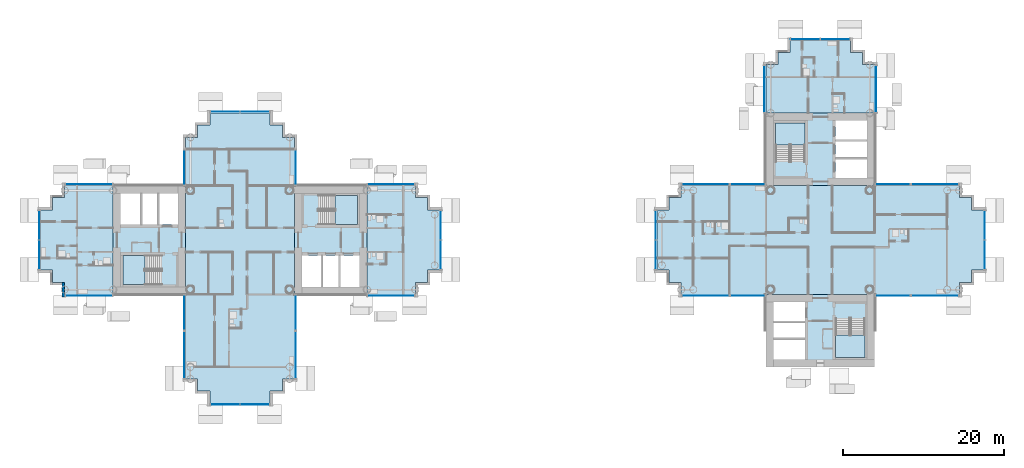
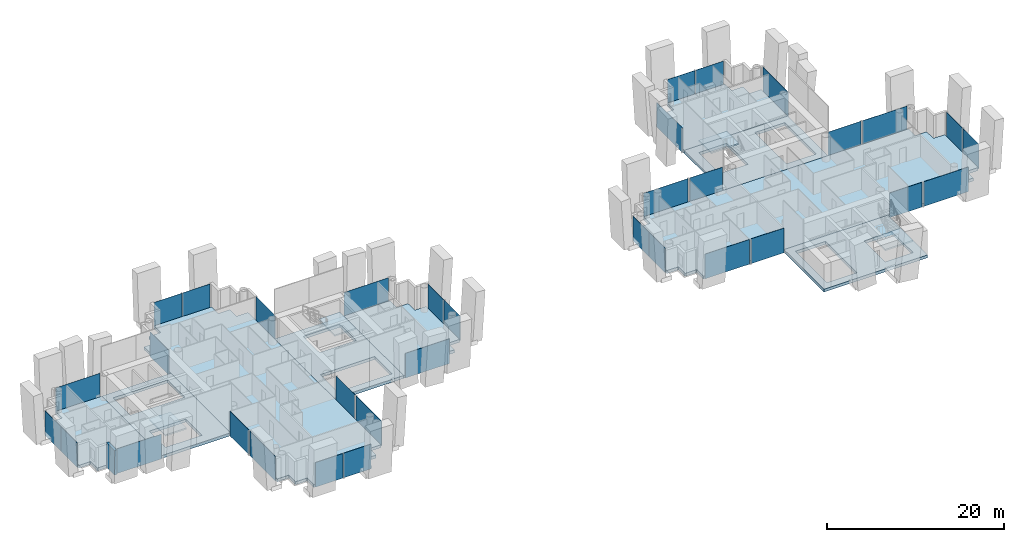
# One storey, part 7 of 21: 34 plates, 13 slabs, 1 wall, 31 elements without a shape of their own.
"""IFC4 building model written with IfcOpenShell, lengths in metres."""

from ifc_helpers import new_model, si_unit, direction, frame, frame_2d, origin, origin_2d, place, context, subcontext, project, spatial, polyline, rectangle, outline, extrude, material, layer, layer_set, type_object, element, aggregate, save


model = new_model("IFC4")

# Units and contexts
model_context = context("Model", 3, precision=1e-05, world=origin(), true_north=direction((0.0, 1.0)))
body_context = subcontext(model_context, "Body", "Model", "MODEL_VIEW")
ifc_project = project(units=[si_unit("LENGTHUNIT", "METRE"), si_unit("AREAUNIT", "SQUARE_METRE"), si_unit("VOLUMEUNIT", "CUBIC_METRE"), si_unit("PLANEANGLEUNIT", "RADIAN"), si_unit("MASSUNIT", "GRAM", prefix="KILO")], contexts=[model_context])

# Site, building, storey
site_placement = place(None, origin())
site = spatial("IfcSite", under=ifc_project, at=site_placement, CompositionType="ELEMENT")
building_placement = place(site_placement, origin())
building = spatial("IfcBuilding", under=site, at=building_placement, Name="Ipe Terrace Towers", CompositionType="ELEMENT")
storey_placement = place(building_placement, frame((0.0, 0.0, 114.0)))
storey = spatial("IfcBuildingStorey", under=building, at=storey_placement, Name="L31", CompositionType="ELEMENT", Elevation=114.0)

# Slabs
ifc_material_1 = material(Name="Concrete C30/37", Category="concrete")
ifc_layer_1 = layer(ifc_material_1, 0.39990234375)
ifc_layer_set_1 = layer_set([ifc_layer_1], Name="CORE FLOOR SLAB 400 C30-37")
slab_type_1 = type_object("IfcSlabType", Name="CORE FLOOR SLAB 400 C30-37", PredefinedType="FLOOR", material=ifc_layer_set_1)
slab_1_placement = place(storey_placement, frame((0.0, 0.0, -0.39990234375)))
element("IfcSlab", 1, at=slab_1_placement, inside=storey, type_object=slab_type_1, Name="Core floor T1-C1", PredefinedType="FLOOR", context=body_context, shape_type="SweptSolid", body=[
    extrude(outline(polyline([(-29.25, -6.75), (-29.25, 6.75), (-20.25, 6.75), (-20.25, -6.75), (-29.25, -6.75)]), holes=[polyline([(-28.300048828125, -5.800048828125), (-21.199951171875, -5.800048828125), (-21.199951171875, -1.89990234375), (-28.300048828125, -1.89990234375), (-28.300048828125, -5.800048828125)]), polyline([(-26.199951171875, 5.550048828125), (-26.199951171875, 1.89990234375), (-21.449951171875, 1.89990234375), (-21.449951171875, 5.550048828125), (-26.199951171875, 5.550048828125)])]), origin(), (0.0, 0.0, 1.0), 0.39990234375),
])
slab_2_placement = place(storey_placement, frame((0.0, 0.0, -0.39990234375)))
element("IfcSlab", 2, at=slab_2_placement, inside=storey, type_object=slab_type_1, Name="Core floor T1-C2", PredefinedType="FLOOR", context=body_context, shape_type="SweptSolid", body=[
    extrude(outline(polyline([(-51.75, -6.75), (-51.75, 6.75), (-42.75, 6.75), (-42.75, -6.75), (-51.75, -6.75)]), holes=[polyline([(-45.800048828125, -5.550048828125), (-45.800048828125, -1.89990234375), (-50.550048828125, -1.89990234375), (-50.550048828125, -5.550048828125), (-45.800048828125, -5.550048828125)]), polyline([(-50.800048828125, 1.89990234375), (-43.699951171875, 1.89990234375), (-43.699951171875, 5.800048828125), (-50.800048828125, 5.800048828125), (-50.800048828125, 1.89990234375)])]), origin(), (0.0, 0.0, 1.0), 0.39990234375),
])
slab_3_placement = place(storey_placement, frame((0.0, 0.0, -0.39990234375)))
element("IfcSlab", 3, at=slab_3_placement, inside=storey, type_object=slab_type_1, Name="Core floor T2-C1", PredefinedType="FLOOR", context=body_context, shape_type="SweptSolid", body=[
    extrude(outline(polyline([(29.25, 6.75), (29.25, 15.75), (42.75, 15.75), (42.75, 6.75), (29.25, 6.75)]), holes=[polyline([(41.800048828125, 7.699951171875), (41.800048828125, 14.800048828125), (37.89990234375, 14.800048828125), (37.89990234375, 7.699951171875), (41.800048828125, 7.699951171875)]), polyline([(30.449951171875, 9.800048828125), (34.10009765625, 9.800048828125), (34.10009765625, 14.550048828125), (30.449951171875, 14.550048828125), (30.449951171875, 9.800048828125)])]), origin(), (0.0, 0.0, 1.0), 0.39990234375),
])
slab_4_placement = place(storey_placement, frame((0.0, 0.0, -0.39990234375)))
element("IfcSlab", 4, at=slab_4_placement, inside=storey, type_object=slab_type_1, Name="Core floor T2-C2", PredefinedType="FLOOR", context=body_context, shape_type="SweptSolid", body=[
    extrude(outline(polyline([(29.25, -15.75), (29.25, -6.75), (42.75, -6.75), (42.75, -15.75), (29.25, -15.75)]), holes=[polyline([(34.10009765625, -14.800048828125), (34.10009765625, -7.699951171875), (30.199951171875, -7.699951171875), (30.199951171875, -14.800048828125), (34.10009765625, -14.800048828125)]), polyline([(41.550048828125, -9.800048828125), (37.89990234375, -9.800048828125), (37.89990234375, -14.550048828125), (41.550048828125, -14.550048828125), (41.550048828125, -9.800048828125)])]), origin(), (0.0, 0.0, 1.0), 0.39990234375),
])

# Stair, slab
ifc_material_2 = material(Name="Concrete C30/37", Category="concrete")
stair_type = type_object("IfcStairType", Name="Protected exit stair", PredefinedType="HALF_TURN_STAIR", material=ifc_material_2)
stair_1_placement = place(storey_placement, origin())
stair_1 = element("IfcStair", 5, at=stair_1_placement, inside=storey, type_object=stair_type, Name="L31 Exit stair T1-C1", PredefinedType="HALF_TURN_STAIR")
ifc_material_3 = material(Name="Concrete C30/37", Category="concrete")
ifc_layer_2 = layer(ifc_material_3, 0.199951171875)
ifc_layer_set_2 = layer_set([ifc_layer_2], Name="Exit stair landing 200")
slab_type_2 = type_object("IfcSlabType", Name="Exit stair landing 200", PredefinedType="LANDING", material=ifc_layer_set_2)
slab_5_placement = place(storey_placement, frame((0.0, 0.0, 1.5)))
slab_5 = element("IfcSlab", 6, at=slab_5_placement, type_object=slab_type_2, Name="T1-ST1 landing 1", PredefinedType="LANDING", context=body_context, shape_type="SweptSolid", body=[
    extrude(outline(polyline([(-24.219970703125, 1.89990234375), (-21.449951171875, 1.89990234375), (-21.449951171875, 5.550048828125), (-24.219970703125, 5.550048828125), (-24.219970703125, 1.89990234375)])), origin(), (0.0, 0.0, 1.0), 0.199951171875),
])
aggregate(stair_1, [slab_5])

stair_2_placement = place(storey_placement, origin())
stair_2 = element("IfcStair", 7, at=stair_2_placement, inside=storey, type_object=stair_type, Name="L31 Exit stair T1-C2", PredefinedType="HALF_TURN_STAIR")
slab_6_placement = place(storey_placement, frame((0.0, 0.0, 1.5)))
slab_6 = element("IfcSlab", 8, at=slab_6_placement, type_object=slab_type_2, Name="T1-ST2 landing 1", PredefinedType="LANDING", context=body_context, shape_type="SweptSolid", body=[
    extrude(outline(polyline([(-47.780029296875, -1.89990234375), (-50.550048828125, -1.89990234375), (-50.550048828125, -5.550048828125), (-47.780029296875, -5.550048828125), (-47.780029296875, -1.89990234375)])), origin(), (0.0, 0.0, 1.0), 0.199951171875),
])
aggregate(stair_2, [slab_6])

stair_3_placement = place(storey_placement, origin())
stair_3 = element("IfcStair", 9, at=stair_3_placement, inside=storey, type_object=stair_type, Name="L31 Exit stair T2-C1", PredefinedType="HALF_TURN_STAIR")
slab_7_placement = place(storey_placement, frame((0.0, 0.0, 1.5)))
slab_7 = element("IfcSlab", 10, at=slab_7_placement, type_object=slab_type_2, Name="T2-ST1 landing 1", PredefinedType="LANDING", context=body_context, shape_type="SweptSolid", body=[
    extrude(outline(polyline([(34.10009765625, 11.780029296875), (34.10009765625, 14.550048828125), (30.449951171875, 14.550048828125), (30.449951171875, 11.780029296875), (34.10009765625, 11.780029296875)])), origin(), (0.0, 0.0, 1.0), 0.199951171875),
])
aggregate(stair_3, [slab_7])

stair_4_placement = place(storey_placement, origin())
stair_4 = element("IfcStair", 11, at=stair_4_placement, inside=storey, type_object=stair_type, Name="L31 Exit stair T2-C2", PredefinedType="HALF_TURN_STAIR")
slab_8_placement = place(storey_placement, frame((0.0, 0.0, 1.5)))
slab_8 = element("IfcSlab", 12, at=slab_8_placement, type_object=slab_type_2, Name="T2-ST2 landing 1", PredefinedType="LANDING", context=body_context, shape_type="SweptSolid", body=[
    extrude(outline(polyline([(37.89990234375, -11.780029296875), (37.89990234375, -14.550048828125), (41.550048828125, -14.550048828125), (41.550048828125, -11.780029296875), (37.89990234375, -11.780029296875)])), origin(), (0.0, 0.0, 1.0), 0.199951171875),
])
aggregate(stair_4, [slab_8])

# Slabs
ifc_material_4 = material(Name="Concrete C40/50", Category="concrete")
ifc_layer_3 = layer(ifc_material_4, 0.39990234375)
ifc_layer_set_3 = layer_set([ifc_layer_3], Name="FLAT PLATE SLAB 400 C40-50")
slab_type_3 = type_object("IfcSlabType", Name="FLAT PLATE SLAB 400 C40-50", PredefinedType="FLOOR", material=ifc_layer_set_3)
slab_9_placement = place(storey_placement, frame((0.0, 0.0, -0.39990234375)))
element("IfcSlab", 13, at=slab_9_placement, inside=storey, type_object=slab_type_3, Name="Slab T1-FS-Z21", PredefinedType="FLOOR", context=body_context, shape_type="SweptSolid", body=[
    extrude(outline(polyline([(-30.75, -17.25), (-30.75, -18.75), (-32.25, -18.75), (-32.25, -20.25), (-39.75, -20.25), (-39.75, -18.75), (-41.25, -18.75), (-41.25, -17.25), (-42.75, -17.25), (-42.75, -6.75), (-42.75, 6.75), (-42.75, 12.75), (-41.25, 12.75), (-41.25, 14.25), (-39.75, 14.25), (-39.75, 15.75), (-32.25, 15.75), (-32.25, 14.25), (-30.75, 14.25), (-30.75, 12.75), (-29.25, 12.75), (-29.25, 6.75), (-29.25, -6.75), (-29.25, -17.25), (-30.75, -17.25)])), origin(), (0.0, 0.0, 1.0), 0.39990234375),
])
slab_10_placement = place(storey_placement, frame((0.0, 0.0, -0.39990234375)))
element("IfcSlab", 14, at=slab_10_placement, inside=storey, type_object=slab_type_3, Name="Slab T1-FS-Z22", PredefinedType="FLOOR", context=body_context, shape_type="SweptSolid", body=[
    extrude(outline(polyline([(-57.75, -6.75), (-57.75, -5.25), (-59.25, -5.25), (-59.25, -3.75), (-60.75, -3.75), (-60.75, 3.75), (-59.25, 3.75), (-59.25, 5.25), (-57.75, 5.25), (-57.75, 6.75), (-51.75, 6.75), (-51.75, -6.75), (-57.75, -6.75)])), origin(), (0.0, 0.0, 1.0), 0.39990234375),
])
slab_11_placement = place(storey_placement, frame((0.0, 0.0, -0.39990234375)))
element("IfcSlab", 15, at=slab_11_placement, inside=storey, type_object=slab_type_3, Name="Slab T1-FS-Z23", PredefinedType="FLOOR", context=body_context, shape_type="SweptSolid", body=[
    extrude(outline(polyline([(-14.25, 5.25), (-12.75, 5.25), (-12.75, 3.75), (-11.25, 3.75), (-11.25, -3.75), (-12.75, -3.75), (-12.75, -5.25), (-14.25, -5.25), (-14.25, -6.75), (-20.25, -6.75), (-20.25, 6.75), (-14.25, 6.75), (-14.25, 5.25)])), origin(), (0.0, 0.0, 1.0), 0.39990234375),
])
slab_12_placement = place(storey_placement, frame((0.0, 0.0, -0.39990234375)))
element("IfcSlab", 16, at=slab_12_placement, inside=storey, type_object=slab_type_3, Name="Slab T2-FS-Z21", PredefinedType="FLOOR", context=body_context, shape_type="SweptSolid", body=[
    extrude(outline(polyline([(53.25, 5.25), (54.75, 5.25), (54.75, 3.75), (56.25, 3.75), (56.25, -3.75), (54.75, -3.75), (54.75, -5.25), (53.25, -5.25), (53.25, -6.75), (42.75, -6.75), (29.25, -6.75), (18.75, -6.75), (18.75, -5.25), (17.25, -5.25), (17.25, -3.75), (15.75, -3.75), (15.75, 3.75), (17.25, 3.75), (17.25, 5.25), (18.75, 5.25), (18.75, 6.75), (29.25, 6.75), (42.75, 6.75), (53.25, 6.75), (53.25, 5.25)])), origin(), (0.0, 0.0, 1.0), 0.39990234375),
])
slab_13_placement = place(storey_placement, frame((0.0, 0.0, -0.39990234375)))
element("IfcSlab", 17, at=slab_13_placement, inside=storey, type_object=slab_type_3, Name="Slab T2-FS-Z22", PredefinedType="FLOOR", context=body_context, shape_type="SweptSolid", body=[
    extrude(outline(polyline([(30.75, 21.75), (30.75, 23.25), (32.25, 23.25), (32.25, 24.75), (39.75, 24.75), (39.75, 23.25), (41.25, 23.25), (41.25, 21.75), (42.75, 21.75), (42.75, 15.75), (29.25, 15.75), (29.25, 21.75), (30.75, 21.75)])), origin(), (0.0, 0.0, 1.0), 0.39990234375),
])

# Curtain wall, plate
ifc_material_5 = material(Name="Aluminium alloy 6063-T6", Category="aluminium")
ifc_layer_4 = layer(ifc_material_5, 0.320068359375)
ifc_layer_set_4 = layer_set([ifc_layer_4], Name="TOWER UNITISED CURTAIN WALL")
curtain_wall_type = type_object("IfcCurtainWallType", Name="TOWER UNITISED CURTAIN WALL", PredefinedType="NOTDEFINED", material=ifc_layer_set_4)
curtain_wall_1_placement = place(storey_placement, origin())
curtain_wall_1 = element("IfcCurtainWall", 18, at=curtain_wall_1_placement, inside=storey, type_object=curtain_wall_type, Name="T1-CW-L31-04a curtain wall", PredefinedType="NOTDEFINED")
ifc_material_6 = material(Name="Glass, clear laminated", Category="glass")
ifc_layer_5 = layer(ifc_material_6, 0.031982421875)
ifc_layer_set_5 = layer_set([ifc_layer_5], Name="TOWER UNITISED GLASS PANEL 32")
plate_type = type_object("IfcPlateType", Name="TOWER UNITISED GLASS PANEL 32", PredefinedType="CURTAIN_PANEL", material=ifc_layer_set_5)
plate_1_placement = place(storey_placement, frame((-54.75048828125, -6.909912109375, -0.300048828125), z_axis=(0.0, 0.0, 1.0), x_axis=(1.0, 0.0, 0.0)))
plate_1 = element("IfcPlate", 19, at=plate_1_placement, type_object=plate_type, Name="T1-CW-L31-04a panel 1", PredefinedType="CURTAIN_PANEL", context=body_context, shape_type="SweptSolid", body=[
    extrude(rectangle(XDim=5.759033203125, YDim=0.031982421875, at=origin_2d()), origin(), (0.0, 0.0, 1.0), 3.39990234375),
])
aggregate(curtain_wall_1, [plate_1])

curtain_wall_2_placement = place(storey_placement, origin())
curtain_wall_2 = element("IfcCurtainWall", 20, at=curtain_wall_2_placement, inside=storey, type_object=curtain_wall_type, Name="T1-CW-L31-06a curtain wall", PredefinedType="NOTDEFINED")
plate_2_placement = place(storey_placement, frame((-42.909912109375, -9.0, -0.300048828125), z_axis=(0.0, 0.0, 1.0), x_axis=(0.0, -1.0, 0.0)))
plate_2 = element("IfcPlate", 21, at=plate_2_placement, type_object=plate_type, Name="T1-CW-L31-06a panel 1", PredefinedType="CURTAIN_PANEL", context=body_context, shape_type="SweptSolid", body=[
    extrude(rectangle(XDim=4.260009765625, YDim=0.031982421875, at=origin_2d()), origin(), (0.0, 0.0, 1.0), 3.39990234375),
])
aggregate(curtain_wall_2, [plate_2])

curtain_wall_3_placement = place(storey_placement, origin())
curtain_wall_3 = element("IfcCurtainWall", 22, at=curtain_wall_3_placement, inside=storey, type_object=curtain_wall_type, Name="T1-CW-L31-07a curtain wall", PredefinedType="NOTDEFINED")
plate_3_placement = place(storey_placement, frame((-42.909912109375, -14.25, -0.300048828125), z_axis=(0.0, 0.0, 1.0), x_axis=(0.0, -1.0, 0.0)))
plate_3 = element("IfcPlate", 23, at=plate_3_placement, type_object=plate_type, Name="T1-CW-L31-07a panel 1", PredefinedType="CURTAIN_PANEL", context=body_context, shape_type="SweptSolid", body=[
    extrude(rectangle(XDim=5.760009765625, YDim=0.031982421875, at=origin_2d()), origin(), (0.0, 0.0, 1.0), 3.39990234375),
])
aggregate(curtain_wall_3, [plate_3])

# Curtain wall, plates
curtain_wall_4_placement = place(storey_placement, origin())
curtain_wall_4 = element("IfcCurtainWall", 24, at=curtain_wall_4_placement, inside=storey, type_object=curtain_wall_type, Name="T1-CW-L31-12a curtain wall", PredefinedType="NOTDEFINED")
plate_4_placement = place(storey_placement, frame((-37.831298828125, -20.409912109375, -0.300048828125), z_axis=(0.0, 0.0, 1.0), x_axis=(1.0, 0.0, 0.0)))
plate_4 = element("IfcPlate", 25, at=plate_4_placement, type_object=plate_type, Name="T1-CW-L31-12a panel 1", PredefinedType="CURTAIN_PANEL", context=body_context, shape_type="SweptSolid", body=[
    extrude(rectangle(XDim=3.597412109375, YDim=0.031982421875, at=origin_2d()), origin(), (0.0, 0.0, 1.0), 3.39990234375),
])
plate_5_placement = place(storey_placement, frame((-34.168701171875, -20.409912109375, -0.300048828125), z_axis=(0.0, 0.0, 1.0), x_axis=(1.0, 0.0, 0.0)))
plate_5 = element("IfcPlate", 26, at=plate_5_placement, type_object=plate_type, Name="T1-CW-L31-12a panel 2", PredefinedType="CURTAIN_PANEL", context=body_context, shape_type="SweptSolid", body=[
    extrude(rectangle(XDim=3.597412109375, YDim=0.031982421875, at=origin_2d()), origin(), (0.0, 0.0, 1.0), 3.39990234375),
])
aggregate(curtain_wall_4, [plate_4, plate_5])

# Curtain wall, plate
curtain_wall_5_placement = place(storey_placement, origin())
curtain_wall_5 = element("IfcCurtainWall", 27, at=curtain_wall_5_placement, inside=storey, type_object=curtain_wall_type, Name="T1-CW-L31-17a curtain wall", PredefinedType="NOTDEFINED")
plate_6_placement = place(storey_placement, frame((-29.090087890625, -14.25, -0.300048828125), z_axis=(0.0, 0.0, 1.0), x_axis=(0.0, 1.0, 0.0)))
plate_6 = element("IfcPlate", 28, at=plate_6_placement, type_object=plate_type, Name="T1-CW-L31-17a panel 1", PredefinedType="CURTAIN_PANEL", context=body_context, shape_type="SweptSolid", body=[
    extrude(rectangle(XDim=5.760009765625, YDim=0.031982421875, at=origin_2d()), origin(), (0.0, 0.0, 1.0), 3.39990234375),
])
aggregate(curtain_wall_5, [plate_6])

curtain_wall_6_placement = place(storey_placement, origin())
curtain_wall_6 = element("IfcCurtainWall", 29, at=curtain_wall_6_placement, inside=storey, type_object=curtain_wall_type, Name="T1-CW-L31-18a curtain wall", PredefinedType="NOTDEFINED")
plate_7_placement = place(storey_placement, frame((-29.090087890625, -9.0, -0.300048828125), z_axis=(0.0, 0.0, 1.0), x_axis=(0.0, 1.0, 0.0)))
plate_7 = element("IfcPlate", 30, at=plate_7_placement, type_object=plate_type, Name="T1-CW-L31-18a panel 1", PredefinedType="CURTAIN_PANEL", context=body_context, shape_type="SweptSolid", body=[
    extrude(rectangle(XDim=4.260009765625, YDim=0.031982421875, at=origin_2d()), origin(), (0.0, 0.0, 1.0), 3.39990234375),
])
aggregate(curtain_wall_6, [plate_7])

curtain_wall_7_placement = place(storey_placement, origin())
curtain_wall_7 = element("IfcCurtainWall", 31, at=curtain_wall_7_placement, inside=storey, type_object=curtain_wall_type, Name="T1-CW-L31-20b curtain wall", PredefinedType="NOTDEFINED")
plate_8_placement = place(storey_placement, frame((-17.24951171875, -6.909912109375, -0.300048828125), z_axis=(0.0, 0.0, 1.0), x_axis=(1.0, 0.0, 0.0)))
plate_8 = element("IfcPlate", 32, at=plate_8_placement, type_object=plate_type, Name="T1-CW-L31-20b panel 1", PredefinedType="CURTAIN_PANEL", context=body_context, shape_type="SweptSolid", body=[
    extrude(rectangle(XDim=5.759033203125, YDim=0.031982421875, at=origin_2d()), origin(), (0.0, 0.0, 1.0), 3.39990234375),
])
aggregate(curtain_wall_7, [plate_8])

# Curtain wall, plates
curtain_wall_8_placement = place(storey_placement, origin())
curtain_wall_8 = element("IfcCurtainWall", 33, at=curtain_wall_8_placement, inside=storey, type_object=curtain_wall_type, Name="T1-CW-L31-25a curtain wall", PredefinedType="NOTDEFINED")
plate_9_placement = place(storey_placement, frame((-11.090087890625, -1.831298828125, -0.300048828125), z_axis=(0.0, 0.0, 1.0), x_axis=(0.0, 1.0, 0.0)))
plate_9 = element("IfcPlate", 34, at=plate_9_placement, type_object=plate_type, Name="T1-CW-L31-25a panel 1", PredefinedType="CURTAIN_PANEL", context=body_context, shape_type="SweptSolid", body=[
    extrude(rectangle(XDim=3.597412109375, YDim=0.031982421875, at=origin_2d()), origin(), (0.0, 0.0, 1.0), 3.39990234375),
])
plate_10_placement = place(storey_placement, frame((-11.090087890625, 1.831298828125, -0.300048828125), z_axis=(0.0, 0.0, 1.0), x_axis=(0.0, 1.0, 0.0)))
plate_10 = element("IfcPlate", 35, at=plate_10_placement, type_object=plate_type, Name="T1-CW-L31-25a panel 2", PredefinedType="CURTAIN_PANEL", context=body_context, shape_type="SweptSolid", body=[
    extrude(rectangle(XDim=3.597412109375, YDim=0.031982421875, at=origin_2d()), origin(), (0.0, 0.0, 1.0), 3.39990234375),
])
aggregate(curtain_wall_8, [plate_9, plate_10])

# Curtain wall, plate
curtain_wall_9_placement = place(storey_placement, origin())
curtain_wall_9 = element("IfcCurtainWall", 36, at=curtain_wall_9_placement, inside=storey, type_object=curtain_wall_type, Name="T1-CW-L31-30a curtain wall", PredefinedType="NOTDEFINED")
plate_11_placement = place(storey_placement, frame((-17.24951171875, 6.909912109375, -0.300048828125), z_axis=(0.0, 0.0, 1.0), x_axis=(-1.0, 0.0, 0.0)))
plate_11 = element("IfcPlate", 37, at=plate_11_placement, type_object=plate_type, Name="T1-CW-L31-30a panel 1", PredefinedType="CURTAIN_PANEL", context=body_context, shape_type="SweptSolid", body=[
    extrude(rectangle(XDim=5.759033203125, YDim=0.031982421875, at=origin_2d()), origin(), (0.0, 0.0, 1.0), 3.39990234375),
])
aggregate(curtain_wall_9, [plate_11])

curtain_wall_10_placement = place(storey_placement, origin())
curtain_wall_10 = element("IfcCurtainWall", 38, at=curtain_wall_10_placement, inside=storey, type_object=curtain_wall_type, Name="T1-CW-L31-32a curtain wall", PredefinedType="NOTDEFINED")
plate_12_placement = place(storey_placement, frame((-29.090087890625, 9.0, -0.300048828125), z_axis=(0.0, 0.0, 1.0), x_axis=(0.0, 1.0, 0.0)))
plate_12 = element("IfcPlate", 39, at=plate_12_placement, type_object=plate_type, Name="T1-CW-L31-32a panel 1", PredefinedType="CURTAIN_PANEL", context=body_context, shape_type="SweptSolid", body=[
    extrude(rectangle(XDim=4.260009765625, YDim=0.031982421875, at=origin_2d()), origin(), (0.0, 0.0, 1.0), 3.39990234375),
])
aggregate(curtain_wall_10, [plate_12])

# Curtain wall, plates
curtain_wall_11_placement = place(storey_placement, origin())
curtain_wall_11 = element("IfcCurtainWall", 40, at=curtain_wall_11_placement, inside=storey, type_object=curtain_wall_type, Name="T1-CW-L31-38a curtain wall", PredefinedType="NOTDEFINED")
plate_13_placement = place(storey_placement, frame((-34.168701171875, 15.909912109375, -0.300048828125), z_axis=(0.0, 0.0, 1.0), x_axis=(-1.0, 0.0, 0.0)))
plate_13 = element("IfcPlate", 41, at=plate_13_placement, type_object=plate_type, Name="T1-CW-L31-38a panel 1", PredefinedType="CURTAIN_PANEL", context=body_context, shape_type="SweptSolid", body=[
    extrude(rectangle(XDim=3.597412109375, YDim=0.031982421875, at=origin_2d()), origin(), (0.0, 0.0, 1.0), 3.39990234375),
])
plate_14_placement = place(storey_placement, frame((-37.831298828125, 15.909912109375, -0.300048828125), z_axis=(0.0, 0.0, 1.0), x_axis=(-1.0, 0.0, 0.0)))
plate_14 = element("IfcPlate", 42, at=plate_14_placement, type_object=plate_type, Name="T1-CW-L31-38a panel 2", PredefinedType="CURTAIN_PANEL", context=body_context, shape_type="SweptSolid", body=[
    extrude(rectangle(XDim=3.597412109375, YDim=0.031982421875, at=origin_2d()), origin(), (0.0, 0.0, 1.0), 3.39990234375),
])
aggregate(curtain_wall_11, [plate_13, plate_14])

# Curtain wall, plate
curtain_wall_12_placement = place(storey_placement, origin())
curtain_wall_12 = element("IfcCurtainWall", 43, at=curtain_wall_12_placement, inside=storey, type_object=curtain_wall_type, Name="T1-CW-L31-44a curtain wall", PredefinedType="NOTDEFINED")
plate_15_placement = place(storey_placement, frame((-42.909912109375, 9.0, -0.300048828125), z_axis=(0.0, 0.0, 1.0), x_axis=(0.0, -1.0, 0.0)))
plate_15 = element("IfcPlate", 44, at=plate_15_placement, type_object=plate_type, Name="T1-CW-L31-44a panel 1", PredefinedType="CURTAIN_PANEL", context=body_context, shape_type="SweptSolid", body=[
    extrude(rectangle(XDim=4.260009765625, YDim=0.031982421875, at=origin_2d()), origin(), (0.0, 0.0, 1.0), 3.39990234375),
])
aggregate(curtain_wall_12, [plate_15])

curtain_wall_13_placement = place(storey_placement, origin())
curtain_wall_13 = element("IfcCurtainWall", 45, at=curtain_wall_13_placement, inside=storey, type_object=curtain_wall_type, Name="T1-CW-L31-46b curtain wall", PredefinedType="NOTDEFINED")
plate_16_placement = place(storey_placement, frame((-54.75048828125, 6.909912109375, -0.300048828125), z_axis=(0.0, 0.0, 1.0), x_axis=(-1.0, 0.0, 0.0)))
plate_16 = element("IfcPlate", 46, at=plate_16_placement, type_object=plate_type, Name="T1-CW-L31-46b panel 1", PredefinedType="CURTAIN_PANEL", context=body_context, shape_type="SweptSolid", body=[
    extrude(rectangle(XDim=5.759033203125, YDim=0.031982421875, at=origin_2d()), origin(), (0.0, 0.0, 1.0), 3.39990234375),
])
aggregate(curtain_wall_13, [plate_16])

# Curtain wall, plates
curtain_wall_14_placement = place(storey_placement, origin())
curtain_wall_14 = element("IfcCurtainWall", 47, at=curtain_wall_14_placement, inside=storey, type_object=curtain_wall_type, Name="T1-CW-L31-51a curtain wall", PredefinedType="NOTDEFINED")
plate_17_placement = place(storey_placement, frame((-60.909912109375, 1.831298828125, -0.300048828125), z_axis=(0.0, 0.0, 1.0), x_axis=(0.0, -1.0, 0.0)))
plate_17 = element("IfcPlate", 48, at=plate_17_placement, type_object=plate_type, Name="T1-CW-L31-51a panel 1", PredefinedType="CURTAIN_PANEL", context=body_context, shape_type="SweptSolid", body=[
    extrude(rectangle(XDim=3.597412109375, YDim=0.031982421875, at=origin_2d()), origin(), (0.0, 0.0, 1.0), 3.39990234375),
])
plate_18_placement = place(storey_placement, frame((-60.909912109375, -1.831298828125, -0.300048828125), z_axis=(0.0, 0.0, 1.0), x_axis=(0.0, -1.0, 0.0)))
plate_18 = element("IfcPlate", 49, at=plate_18_placement, type_object=plate_type, Name="T1-CW-L31-51a panel 2", PredefinedType="CURTAIN_PANEL", context=body_context, shape_type="SweptSolid", body=[
    extrude(rectangle(XDim=3.597412109375, YDim=0.031982421875, at=origin_2d()), origin(), (0.0, 0.0, 1.0), 3.39990234375),
])
aggregate(curtain_wall_14, [plate_17, plate_18])

# Curtain wall, plate
curtain_wall_15_placement = place(storey_placement, origin())
curtain_wall_15 = element("IfcCurtainWall", 50, at=curtain_wall_15_placement, inside=storey, type_object=curtain_wall_type, Name="T2-CW-L31-02a curtain wall", PredefinedType="NOTDEFINED")
plate_19_placement = place(storey_placement, frame((45.0, -6.909912109375, -0.300048828125), z_axis=(0.0, 0.0, 1.0), x_axis=(1.0, 0.0, 0.0)))
plate_19 = element("IfcPlate", 51, at=plate_19_placement, type_object=plate_type, Name="T2-CW-L31-02a panel 1", PredefinedType="CURTAIN_PANEL", context=body_context, shape_type="SweptSolid", body=[
    extrude(rectangle(XDim=4.260009765625, YDim=0.031982421875, at=origin_2d()), origin(), (0.0, 0.0, 1.0), 3.39990234375),
])
aggregate(curtain_wall_15, [plate_19])

curtain_wall_16_placement = place(storey_placement, origin())
curtain_wall_16 = element("IfcCurtainWall", 52, at=curtain_wall_16_placement, inside=storey, type_object=curtain_wall_type, Name="T2-CW-L31-03a curtain wall", PredefinedType="NOTDEFINED")
plate_20_placement = place(storey_placement, frame((50.25, -6.909912109375, -0.300048828125), z_axis=(0.0, 0.0, 1.0), x_axis=(1.0, 0.0, 0.0)))
plate_20 = element("IfcPlate", 53, at=plate_20_placement, type_object=plate_type, Name="T2-CW-L31-03a panel 1", PredefinedType="CURTAIN_PANEL", context=body_context, shape_type="SweptSolid", body=[
    extrude(rectangle(XDim=5.760009765625, YDim=0.031982421875, at=origin_2d()), origin(), (0.0, 0.0, 1.0), 3.39990234375),
])
aggregate(curtain_wall_16, [plate_20])

# Curtain wall, plates
curtain_wall_17_placement = place(storey_placement, origin())
curtain_wall_17 = element("IfcCurtainWall", 54, at=curtain_wall_17_placement, inside=storey, type_object=curtain_wall_type, Name="T2-CW-L31-08a curtain wall", PredefinedType="NOTDEFINED")
plate_21_placement = place(storey_placement, frame((56.409912109375, -1.831298828125, -0.300048828125), z_axis=(0.0, 0.0, 1.0), x_axis=(0.0, 1.0, 0.0)))
plate_21 = element("IfcPlate", 55, at=plate_21_placement, type_object=plate_type, Name="T2-CW-L31-08a panel 1", PredefinedType="CURTAIN_PANEL", context=body_context, shape_type="SweptSolid", body=[
    extrude(rectangle(XDim=3.597412109375, YDim=0.031982421875, at=origin_2d()), origin(), (0.0, 0.0, 1.0), 3.39990234375),
])
plate_22_placement = place(storey_placement, frame((56.409912109375, 1.831298828125, -0.300048828125), z_axis=(0.0, 0.0, 1.0), x_axis=(0.0, 1.0, 0.0)))
plate_22 = element("IfcPlate", 56, at=plate_22_placement, type_object=plate_type, Name="T2-CW-L31-08a panel 2", PredefinedType="CURTAIN_PANEL", context=body_context, shape_type="SweptSolid", body=[
    extrude(rectangle(XDim=3.597412109375, YDim=0.031982421875, at=origin_2d()), origin(), (0.0, 0.0, 1.0), 3.39990234375),
])
aggregate(curtain_wall_17, [plate_21, plate_22])

# Curtain wall, plate
curtain_wall_18_placement = place(storey_placement, origin())
curtain_wall_18 = element("IfcCurtainWall", 57, at=curtain_wall_18_placement, inside=storey, type_object=curtain_wall_type, Name="T2-CW-L31-13a curtain wall", PredefinedType="NOTDEFINED")
plate_23_placement = place(storey_placement, frame((50.25, 6.909912109375, -0.300048828125), z_axis=(0.0, 0.0, 1.0), x_axis=(-1.0, 0.0, 0.0)))
plate_23 = element("IfcPlate", 58, at=plate_23_placement, type_object=plate_type, Name="T2-CW-L31-13a panel 1", PredefinedType="CURTAIN_PANEL", context=body_context, shape_type="SweptSolid", body=[
    extrude(rectangle(XDim=5.760009765625, YDim=0.031982421875, at=origin_2d()), origin(), (0.0, 0.0, 1.0), 3.39990234375),
])
aggregate(curtain_wall_18, [plate_23])

curtain_wall_19_placement = place(storey_placement, origin())
curtain_wall_19 = element("IfcCurtainWall", 59, at=curtain_wall_19_placement, inside=storey, type_object=curtain_wall_type, Name="T2-CW-L31-14a curtain wall", PredefinedType="NOTDEFINED")
plate_24_placement = place(storey_placement, frame((45.0, 6.909912109375, -0.300048828125), z_axis=(0.0, 0.0, 1.0), x_axis=(-1.0, 0.0, 0.0)))
plate_24 = element("IfcPlate", 60, at=plate_24_placement, type_object=plate_type, Name="T2-CW-L31-14a panel 1", PredefinedType="CURTAIN_PANEL", context=body_context, shape_type="SweptSolid", body=[
    extrude(rectangle(XDim=4.260009765625, YDim=0.031982421875, at=origin_2d()), origin(), (0.0, 0.0, 1.0), 3.39990234375),
])
aggregate(curtain_wall_19, [plate_24])

curtain_wall_20_placement = place(storey_placement, origin())
curtain_wall_20 = element("IfcCurtainWall", 61, at=curtain_wall_20_placement, inside=storey, type_object=curtain_wall_type, Name="T2-CW-L31-16b curtain wall", PredefinedType="NOTDEFINED")
plate_25_placement = place(storey_placement, frame((42.909912109375, 18.75048828125, -0.300048828125), z_axis=(0.0, 0.0, 1.0), x_axis=(0.0, 1.0, 0.0)))
plate_25 = element("IfcPlate", 62, at=plate_25_placement, type_object=plate_type, Name="T2-CW-L31-16b panel 1", PredefinedType="CURTAIN_PANEL", context=body_context, shape_type="SweptSolid", body=[
    extrude(rectangle(XDim=5.759033203125, YDim=0.031982421875, at=origin_2d()), origin(), (0.0, 0.0, 1.0), 3.39990234375),
])
aggregate(curtain_wall_20, [plate_25])

# Curtain wall, plates
curtain_wall_21_placement = place(storey_placement, origin())
curtain_wall_21 = element("IfcCurtainWall", 63, at=curtain_wall_21_placement, inside=storey, type_object=curtain_wall_type, Name="T2-CW-L31-21a curtain wall", PredefinedType="NOTDEFINED")
plate_26_placement = place(storey_placement, frame((37.831298828125, 24.909912109375, -0.300048828125), z_axis=(0.0, 0.0, 1.0), x_axis=(-1.0, 0.0, 0.0)))
plate_26 = element("IfcPlate", 64, at=plate_26_placement, type_object=plate_type, Name="T2-CW-L31-21a panel 1", PredefinedType="CURTAIN_PANEL", context=body_context, shape_type="SweptSolid", body=[
    extrude(rectangle(XDim=3.597412109375, YDim=0.031982421875, at=origin_2d()), origin(), (0.0, 0.0, 1.0), 3.39990234375),
])
plate_27_placement = place(storey_placement, frame((34.168701171875, 24.909912109375, -0.300048828125), z_axis=(0.0, 0.0, 1.0), x_axis=(-1.0, 0.0, 0.0)))
plate_27 = element("IfcPlate", 65, at=plate_27_placement, type_object=plate_type, Name="T2-CW-L31-21a panel 2", PredefinedType="CURTAIN_PANEL", context=body_context, shape_type="SweptSolid", body=[
    extrude(rectangle(XDim=3.597412109375, YDim=0.031982421875, at=origin_2d()), origin(), (0.0, 0.0, 1.0), 3.39990234375),
])
aggregate(curtain_wall_21, [plate_26, plate_27])

# Curtain wall, plate
curtain_wall_22_placement = place(storey_placement, origin())
curtain_wall_22 = element("IfcCurtainWall", 66, at=curtain_wall_22_placement, inside=storey, type_object=curtain_wall_type, Name="T2-CW-L31-26a curtain wall", PredefinedType="NOTDEFINED")
plate_28_placement = place(storey_placement, frame((29.090087890625, 18.75048828125, -0.300048828125), z_axis=(0.0, 0.0, 1.0), x_axis=(0.0, -1.0, 0.0)))
plate_28 = element("IfcPlate", 67, at=plate_28_placement, type_object=plate_type, Name="T2-CW-L31-26a panel 1", PredefinedType="CURTAIN_PANEL", context=body_context, shape_type="SweptSolid", body=[
    extrude(rectangle(XDim=5.759033203125, YDim=0.031982421875, at=origin_2d()), origin(), (0.0, 0.0, 1.0), 3.39990234375),
])
aggregate(curtain_wall_22, [plate_28])

curtain_wall_23_placement = place(storey_placement, origin())
curtain_wall_23 = element("IfcCurtainWall", 68, at=curtain_wall_23_placement, inside=storey, type_object=curtain_wall_type, Name="T2-CW-L31-28a curtain wall", PredefinedType="NOTDEFINED")
plate_29_placement = place(storey_placement, frame((27.0, 6.909912109375, -0.300048828125), z_axis=(0.0, 0.0, 1.0), x_axis=(-1.0, 0.0, 0.0)))
plate_29 = element("IfcPlate", 69, at=plate_29_placement, type_object=plate_type, Name="T2-CW-L31-28a panel 1", PredefinedType="CURTAIN_PANEL", context=body_context, shape_type="SweptSolid", body=[
    extrude(rectangle(XDim=4.260009765625, YDim=0.031982421875, at=origin_2d()), origin(), (0.0, 0.0, 1.0), 3.39990234375),
])
aggregate(curtain_wall_23, [plate_29])

curtain_wall_24_placement = place(storey_placement, origin())
curtain_wall_24 = element("IfcCurtainWall", 70, at=curtain_wall_24_placement, inside=storey, type_object=curtain_wall_type, Name="T2-CW-L31-29a curtain wall", PredefinedType="NOTDEFINED")
plate_30_placement = place(storey_placement, frame((21.75, 6.909912109375, -0.300048828125), z_axis=(0.0, 0.0, 1.0), x_axis=(-1.0, 0.0, 0.0)))
plate_30 = element("IfcPlate", 71, at=plate_30_placement, type_object=plate_type, Name="T2-CW-L31-29a panel 1", PredefinedType="CURTAIN_PANEL", context=body_context, shape_type="SweptSolid", body=[
    extrude(rectangle(XDim=5.760009765625, YDim=0.031982421875, at=origin_2d()), origin(), (0.0, 0.0, 1.0), 3.39990234375),
])
aggregate(curtain_wall_24, [plate_30])

# Curtain wall, plates
curtain_wall_25_placement = place(storey_placement, origin())
curtain_wall_25 = element("IfcCurtainWall", 72, at=curtain_wall_25_placement, inside=storey, type_object=curtain_wall_type, Name="T2-CW-L31-34a curtain wall", PredefinedType="NOTDEFINED")
plate_31_placement = place(storey_placement, frame((15.590087890625, 1.831298828125, -0.300048828125), z_axis=(0.0, 0.0, 1.0), x_axis=(0.0, -1.0, 0.0)))
plate_31 = element("IfcPlate", 73, at=plate_31_placement, type_object=plate_type, Name="T2-CW-L31-34a panel 1", PredefinedType="CURTAIN_PANEL", context=body_context, shape_type="SweptSolid", body=[
    extrude(rectangle(XDim=3.597412109375, YDim=0.031982421875, at=origin_2d()), origin(), (0.0, 0.0, 1.0), 3.39990234375),
])
plate_32_placement = place(storey_placement, frame((15.590087890625, -1.831298828125, -0.300048828125), z_axis=(0.0, 0.0, 1.0), x_axis=(0.0, -1.0, 0.0)))
plate_32 = element("IfcPlate", 74, at=plate_32_placement, type_object=plate_type, Name="T2-CW-L31-34a panel 2", PredefinedType="CURTAIN_PANEL", context=body_context, shape_type="SweptSolid", body=[
    extrude(rectangle(XDim=3.597412109375, YDim=0.031982421875, at=origin_2d()), origin(), (0.0, 0.0, 1.0), 3.39990234375),
])
aggregate(curtain_wall_25, [plate_31, plate_32])

# Curtain wall, plate
curtain_wall_26_placement = place(storey_placement, origin())
curtain_wall_26 = element("IfcCurtainWall", 75, at=curtain_wall_26_placement, inside=storey, type_object=curtain_wall_type, Name="T2-CW-L31-39a curtain wall", PredefinedType="NOTDEFINED")
plate_33_placement = place(storey_placement, frame((21.75, -6.909912109375, -0.300048828125), z_axis=(0.0, 0.0, 1.0), x_axis=(1.0, 0.0, 0.0)))
plate_33 = element("IfcPlate", 76, at=plate_33_placement, type_object=plate_type, Name="T2-CW-L31-39a panel 1", PredefinedType="CURTAIN_PANEL", context=body_context, shape_type="SweptSolid", body=[
    extrude(rectangle(XDim=5.760009765625, YDim=0.031982421875, at=origin_2d()), origin(), (0.0, 0.0, 1.0), 3.39990234375),
])
aggregate(curtain_wall_26, [plate_33])

curtain_wall_27_placement = place(storey_placement, origin())
curtain_wall_27 = element("IfcCurtainWall", 77, at=curtain_wall_27_placement, inside=storey, type_object=curtain_wall_type, Name="T2-CW-L31-40a curtain wall", PredefinedType="NOTDEFINED")
plate_34_placement = place(storey_placement, frame((27.0, -6.909912109375, -0.300048828125), z_axis=(0.0, 0.0, 1.0), x_axis=(1.0, 0.0, 0.0)))
plate_34 = element("IfcPlate", 78, at=plate_34_placement, type_object=plate_type, Name="T2-CW-L31-40a panel 1", PredefinedType="CURTAIN_PANEL", context=body_context, shape_type="SweptSolid", body=[
    extrude(rectangle(XDim=4.260009765625, YDim=0.031982421875, at=origin_2d()), origin(), (0.0, 0.0, 1.0), 3.39990234375),
])
aggregate(curtain_wall_27, [plate_34])

# Wall
ifc_material_7 = material(Name="Concrete C40/50 with buff precast cladding", Category="concrete")
ifc_layer_6 = layer(ifc_material_7, 0.320068359375)
ifc_layer_set_6 = layer_set([ifc_layer_6], Name="BUFF CLADDING WALL 320")
wall_type = type_object("IfcWallType", Name="BUFF CLADDING WALL 320", PredefinedType="STANDARD", material=ifc_layer_set_6)
wall_placement = place(storey_placement, frame((-57.909912109375, -5.25, -0.300048828125), z_axis=(0.0, 0.0, 1.0), x_axis=(0.0, -1.0, 0.0)))
element("IfcWall", 79, at=wall_placement, inside=storey, type_object=wall_type, Name="T1-W-L31-03a wall", PredefinedType="STANDARD", context=body_context, shape_type="SweptSolid", body=[
    extrude(rectangle(XDim=1.820068359375, YDim=0.320068359375, at=frame_2d((0.91015625, 0.0))), origin(), (0.0, 0.0, 1.0), 3.400146484375),
])

save(model, "model.ifc")
